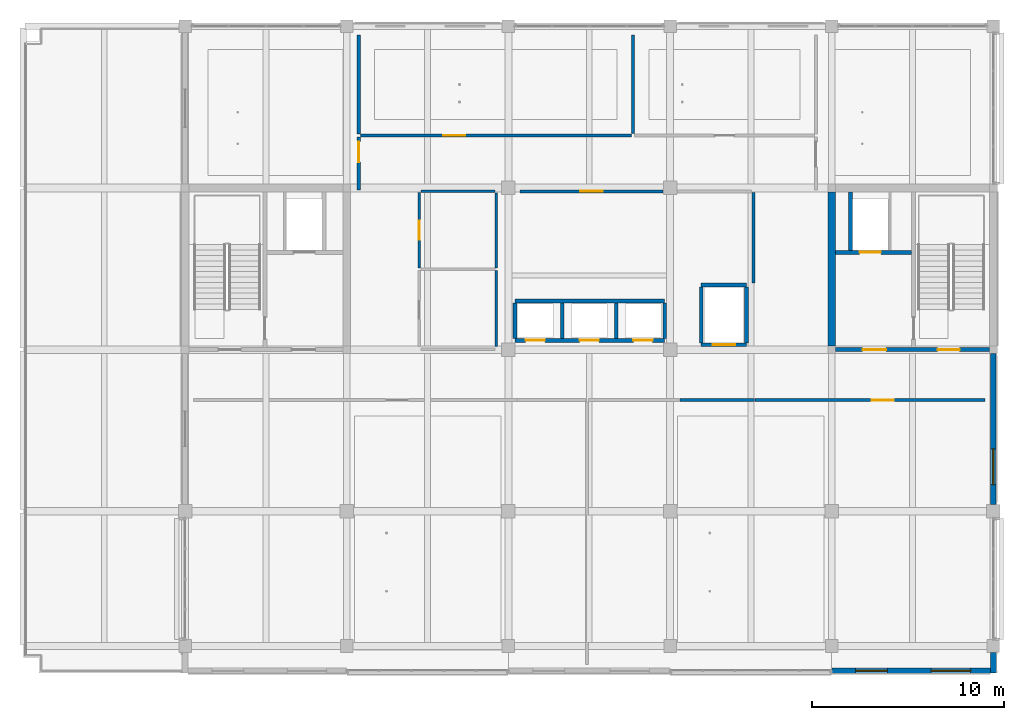
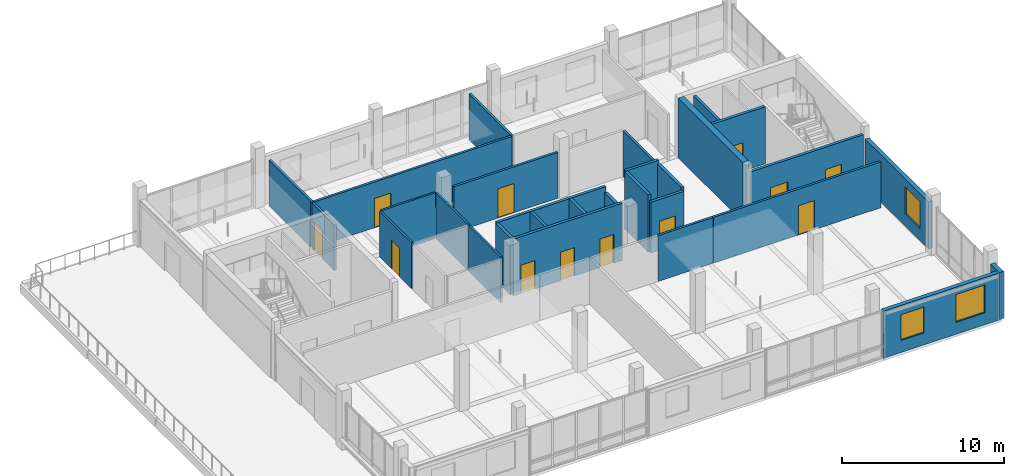
# One storey, part 10 of 28: 29 walls, 12 doors, 3 windows, 15 openings.
"""IFC4 building model written with IfcOpenShell, lengths in metres."""

from ifc_helpers import new_model, si_unit, direction, frame, frame_2d, origin, place, context, subcontext, project, spatial, rectangle, extrude, material, layer, layer_set, type_object, element, fill, save


model = new_model("IFC4")

# Units and contexts
model_context = context("Model", 3, precision=1e-05, world=origin(), true_north=direction((0.0, 1.0)))
body_context = subcontext(model_context, "Body", "Model", "MODEL_VIEW")
ifc_project = project(units=[si_unit("LENGTHUNIT", "METRE"), si_unit("AREAUNIT", "SQUARE_METRE"), si_unit("VOLUMEUNIT", "CUBIC_METRE"), si_unit("PLANEANGLEUNIT", "RADIAN"), si_unit("MASSUNIT", "GRAM", prefix="KILO")], contexts=[model_context])

# Site, building, storey
site_placement = place(None, origin())
site = spatial("IfcSite", under=ifc_project, at=site_placement, CompositionType="ELEMENT")
building_placement = place(site_placement, origin())
building = spatial("IfcBuilding", under=site, at=building_placement, Name="Telukmera Botanical Conservatory", CompositionType="ELEMENT")
storey_placement = place(building_placement, frame((0.0, 0.0, 51.0)))
storey = spatial("IfcBuildingStorey", under=building, at=storey_placement, Name="L11", CompositionType="ELEMENT", Elevation=51.0)

# Wall, openings, windows
ifc_material_1 = material(Name="Precast concrete C40/50", Category="concrete")
ifc_layer_1 = layer(ifc_material_1, 0.280029296875)
ifc_layer_set_1 = layer_set([ifc_layer_1], Name="Precast concrete C40/50")
wall_type_1 = type_object("IfcWallType", Name="Exterior Laboratory Modular Precast Wall 280", PredefinedType="ELEMENTEDWALL", material=ifc_layer_set_1)
wall_1_placement = place(storey_placement, frame((92.402099609375, 9.320068359375, 0.0), z_axis=(0.0, 0.0, 1.0), x_axis=(1.0, 0.0, 0.0)))
wall_1 = element("IfcWall", 1, at=wall_1_placement, inside=storey, type_object=wall_type_1, Name="Exterior Precast Wall EW06 V4:L11:S5", PredefinedType="ELEMENTEDWALL", context=body_context, shape_type="SweptSolid", body=[
    extrude(rectangle(XDim=8.245849609375, YDim=0.280029296875, at=frame_2d((4.123046875, 0.0))), origin(), (0.0, 0.0, 1.0), 3.550048828125),
])
opening_1_placement = place(wall_1_placement, frame((1.236572265625, 0.0, 0.89990234375)))
opening_1 = element("IfcOpeningElement", 2, at=opening_1_placement, cuts=wall_1, Name="Opening W10", PredefinedType="OPENING", context=body_context, shape_type="SweptSolid", body=[
    extrude(rectangle(XDim=1.64990234375, YDim=1.949951171875, at=frame_2d((0.824951171875, 0.97509765625))), frame((0.0, 0.14990234375, 0.0), z_axis=(0.0, -1.0, 0.0), x_axis=(1.0, 0.0, 0.0)), (0.0, 0.0, 1.0), 0.300048828125),
])
opening_2_placement = place(wall_1_placement, frame((5.159423828125, 0.0, 0.89990234375)))
opening_2 = element("IfcOpeningElement", 3, at=opening_2_placement, cuts=wall_1, Name="Opening W14", PredefinedType="OPENING", context=body_context, shape_type="SweptSolid", body=[
    extrude(rectangle(XDim=2.050048828125, YDim=2.10009765625, at=frame_2d((1.02490234375, 1.050048828125))), frame((0.0, 0.14990234375, 0.0), z_axis=(0.0, -1.0, 0.0), x_axis=(1.0, 0.0, 0.0)), (0.0, 0.0, 1.0), 0.300048828125),
])
ifc_material_2 = material(Name="Thermally broken anodised aluminium frame with low-E double glazing", Category="aluminium")
window_type_1 = type_object("IfcWindowType", Name="Double Horizontal Phytochemistry Lab Window 1650x1950", PartitioningType="DOUBLE_PANEL_HORIZONTAL", PredefinedType="WINDOW", material=ifc_material_2)
window_1_placement = place(opening_1_placement, origin())
window_1 = element("IfcWindow", 4, at=window_1_placement, inside=storey, type_object=window_type_1, Name="Facade Window W10 V4:L11:S5 1", OverallHeight=1.949951171875, OverallWidth=1.64990234375, PartitioningType="DOUBLE_PANEL_HORIZONTAL", PredefinedType="WINDOW", context=body_context, shape_type="SweptSolid", body=[
    extrude(rectangle(XDim=1.64990234375, YDim=1.949951171875, at=frame_2d((0.824951171875, 0.97509765625))), frame((0.0, 0.030029296875, 0.0), z_axis=(0.0, -1.0, 0.0), x_axis=(1.0, 0.0, 0.0)), (0.0, 0.0, 1.0), 0.06005859375),
])
fill(opening_1, window_1)
window_type_2 = type_object("IfcWindowType", Name="Triple Vertical Microscopy Lab Window 2050x2100", PartitioningType="TRIPLE_PANEL_VERTICAL", PredefinedType="WINDOW", material=ifc_material_2)
window_2_placement = place(opening_2_placement, origin())
window_2 = element("IfcWindow", 5, at=window_2_placement, inside=storey, type_object=window_type_2, Name="Facade Window W14 V4:L11:S5 2", OverallHeight=2.10009765625, OverallWidth=2.050048828125, PartitioningType="TRIPLE_PANEL_VERTICAL", PredefinedType="WINDOW", context=body_context, shape_type="SweptSolid", body=[
    extrude(rectangle(XDim=2.050048828125, YDim=2.10009765625, at=frame_2d((1.02490234375, 1.050048828125))), frame((0.0, 0.030029296875, 0.0), z_axis=(0.0, -1.0, 0.0), x_axis=(1.0, 0.0, 0.0)), (0.0, 0.0, 1.0), 0.06005859375),
])
fill(opening_2, window_2)

# Wall, opening, window
wall_2_placement = place(storey_placement, frame((100.800048828125, 17.951904296875, 0.0), z_axis=(0.0, 0.0, 1.0), x_axis=(0.0, 1.0, 0.0)))
wall_2 = element("IfcWall", 6, at=wall_2_placement, inside=storey, type_object=wall_type_1, Name="Exterior Precast Wall EW06 V4:L11:E2", PredefinedType="ELEMENTEDWALL", context=body_context, shape_type="SweptSolid", body=[
    extrude(rectangle(XDim=7.84619140625, YDim=0.280029296875, at=frame_2d((3.923095703125, 0.0))), origin(), (0.0, 0.0, 1.0), 3.550048828125),
])
opening_3_placement = place(wall_2_placement, frame((1.03662109375, 0.0, 0.89990234375)))
opening_3 = element("IfcOpeningElement", 7, at=opening_3_placement, cuts=wall_2, Name="Opening W12", PredefinedType="OPENING", context=body_context, shape_type="SweptSolid", body=[
    extrude(rectangle(XDim=1.85009765625, YDim=2.050048828125, at=frame_2d((0.925048828125, 1.02490234375))), frame((0.0, 0.14990234375, 0.0), z_axis=(0.0, -1.0, 0.0), x_axis=(1.0, 0.0, 0.0)), (0.0, 0.0, 1.0), 0.300048828125),
])
window_type_3 = type_object("IfcWindowType", Name="Double Horizontal Seminar Suite Window 1850x2050", PartitioningType="DOUBLE_PANEL_HORIZONTAL", PredefinedType="WINDOW", material=ifc_material_2)
window_3_placement = place(opening_3_placement, origin())
window_3 = element("IfcWindow", 8, at=window_3_placement, inside=storey, type_object=window_type_3, Name="Facade Window W12 V4:L11:E2 1", OverallHeight=2.050048828125, OverallWidth=1.85009765625, PartitioningType="DOUBLE_PANEL_HORIZONTAL", PredefinedType="WINDOW", context=body_context, shape_type="SweptSolid", body=[
    extrude(rectangle(XDim=1.85009765625, YDim=2.050048828125, at=frame_2d((0.925048828125, 1.02490234375))), frame((0.0, 0.030029296875, 0.0), z_axis=(0.0, -1.0, 0.0), x_axis=(1.0, 0.0, 0.0)), (0.0, 0.0, 1.0), 0.06005859375),
])
fill(opening_3, window_3)

# Wall
ifc_material_3 = material(Name="Terracotta-faced precast concrete C40/50", Category="masonry")
ifc_layer_2 = layer(ifc_material_3, 0.300048828125)
ifc_layer_set_2 = layer_set([ifc_layer_2], Name="Terracotta-faced precast concrete C40/50")
wall_type_2 = type_object("IfcWallType", Name="Exterior Polychrome Terracotta Precast Wall 300", PredefinedType="SOLIDWALL", material=ifc_layer_set_2)
wall_3_placement = place(storey_placement, frame((100.800048828125, 9.199951171875, 0.0), z_axis=(0.0, 0.0, 1.0), x_axis=(0.0, 1.0, 0.0)))
element("IfcWall", 9, at=wall_3_placement, inside=storey, type_object=wall_type_2, Name="Exterior Precast Wall EW02 V4:L11:SEC", PredefinedType="SOLIDWALL", context=body_context, shape_type="SweptSolid", body=[
    extrude(rectangle(XDim=1.072998046875, YDim=0.300048828125, at=frame_2d((0.53662109375, 0.0))), origin(), (0.0, 0.0, 1.0), 3.550048828125),
])

# Wall, openings, doors
ifc_material_4 = material(Name="Concrete C40/50", Category="concrete")
ifc_layer_3 = layer(ifc_material_4, 0.199951171875)
ifc_layer_set_3 = layer_set([ifc_layer_3], Name="Concrete C40/50")
wall_type_3 = type_object("IfcWallType", Name="WT-CORE-200", PredefinedType="SOLIDWALL", material=ifc_layer_set_3)
wall_4_placement = place(storey_placement, frame((92.60009765625, 26.0, 0.0), z_axis=(0.0, 0.0, 1.0), x_axis=(1.0, 0.0, 0.0)))
wall_4 = element("IfcWall", 10, at=wall_4_placement, inside=storey, type_object=wall_type_3, Name="L11 Core C2 South Fire Wall", PredefinedType="SOLIDWALL", context=body_context, shape_type="SweptSolid", body=[
    extrude(rectangle(XDim=8.0, YDim=0.199951171875, at=frame_2d((4.0, 0.0))), origin(), (0.0, 0.0, 1.0), 3.830078125),
])
opening_4_placement = place(wall_4_placement, frame((1.39990234375, 0.0, 0.0)))
opening_4 = element("IfcOpeningElement", 11, at=opening_4_placement, cuts=wall_4, Name="Opening FD60C", PredefinedType="OPENING", context=body_context, shape_type="SweptSolid", body=[
    extrude(rectangle(XDim=1.219970703125, YDim=2.14990234375, at=frame_2d((0.60986328125, 1.074951171875))), frame((0.0, 0.10986328125, 0.0), z_axis=(0.0, -1.0, 0.0), x_axis=(1.0, 0.0, 0.0)), (0.0, 0.0, 1.0), 0.219970703125),
])
opening_5_placement = place(wall_4_placement, frame((5.300048828125, 0.0, 0.0)))
opening_5 = element("IfcOpeningElement", 12, at=opening_5_placement, cuts=wall_4, Name="Opening FD60A", PredefinedType="OPENING", context=body_context, shape_type="SweptSolid", body=[
    extrude(rectangle(XDim=1.14990234375, YDim=2.14990234375, at=frame_2d((0.574951171875, 1.074951171875))), frame((0.0, 0.10986328125, 0.0), z_axis=(0.0, -1.0, 0.0), x_axis=(1.0, 0.0, 0.0)), (0.0, 0.0, 1.0), 0.219970703125),
])
ifc_material_5 = material(Name="Hardwood fire door", Category="wood")
door_type_1 = type_object("IfcDoorType", Name="DT-FD60-01", OperationType="NOTDEFINED", PredefinedType="DOOR", material=ifc_material_5)
door_1_placement = place(opening_5_placement, origin())
door_1 = element("IfcDoor", 13, at=door_1_placement, inside=storey, type_object=door_type_1, Name="L11 Stair ST2 Escape Door", OperationType="SINGLE_SWING_RIGHT", OverallHeight=2.14990234375, OverallWidth=1.14990234375, PredefinedType="DOOR", context=body_context, shape_type="SweptSolid", body=[
    extrude(rectangle(XDim=1.14990234375, YDim=2.14990234375, at=frame_2d((0.574951171875, 1.074951171875))), frame((0.0, 0.02490234375, 0.0), z_axis=(0.0, -1.0, 0.0), x_axis=(1.0, 0.0, 0.0)), (0.0, 0.0, 1.0), 0.050048828125),
])
fill(opening_5, door_1)
door_type_2 = type_object("IfcDoorType", Name="DT-FD60-03", OperationType="NOTDEFINED", PredefinedType="DOOR", material=ifc_material_5)
door_2_placement = place(opening_4_placement, origin())
door_2 = element("IfcDoor", 14, at=door_2_placement, inside=storey, type_object=door_type_2, Name="L11 Firefighting Lobby C2 Door", OperationType="SINGLE_SWING_LEFT", OverallHeight=2.14990234375, OverallWidth=1.219970703125, PredefinedType="DOOR", context=body_context, shape_type="SweptSolid", body=[
    extrude(rectangle(XDim=1.219970703125, YDim=2.14990234375, at=frame_2d((0.60986328125, 1.074951171875))), frame((0.0, 0.02490234375, 0.0), z_axis=(0.0, -1.0, 0.0), x_axis=(1.0, 0.0, 0.0)), (0.0, 0.0, 1.0), 0.050048828125),
])
fill(opening_4, door_2)

# Wall, opening, door
wall_5_placement = place(storey_placement, frame((92.60009765625, 31.050048828125, 0.0), z_axis=(0.0, 0.0, 1.0), x_axis=(1.0, 0.0, 0.0)))
wall_5 = element("IfcWall", 15, at=wall_5_placement, inside=storey, type_object=wall_type_3, Name="L11 Fire Lift FL2 Shaft Front Wall", PredefinedType="SOLIDWALL", context=body_context, shape_type="SweptSolid", body=[
    extrude(rectangle(XDim=3.949951171875, YDim=0.199951171875, at=frame_2d((1.97509765625, 0.0))), origin(), (0.0, 0.0, 1.0), 4.300048828125),
])
opening_6_placement = place(wall_5_placement, frame((1.25, 0.0, 0.0)))
opening_6 = element("IfcOpeningElement", 16, at=opening_6_placement, cuts=wall_5, Name="Opening LD01", PredefinedType="OPENING", context=body_context, shape_type="SweptSolid", body=[
    extrude(rectangle(XDim=1.10009765625, YDim=2.14990234375, at=frame_2d((0.550048828125, 1.074951171875))), frame((0.0, 0.10986328125, 0.0), z_axis=(0.0, -1.0, 0.0), x_axis=(1.0, 0.0, 0.0)), (0.0, 0.0, 1.0), 0.219970703125),
])
ifc_material_6 = material(Name="Stainless steel 316", Category="steel")
door_type_3 = type_object("IfcDoorType", Name="DT-LD01", OperationType="SLIDING_TO_LEFT", PredefinedType="DOOR", material=ifc_material_6)
door_3_placement = place(opening_6_placement, frame((1.10009765625, 0.0, 0.0), z_axis=(0.0, 0.0, 1.0), x_axis=(-1.0, 0.0, 0.0)))
door_3 = element("IfcDoor", 17, at=door_3_placement, inside=storey, type_object=door_type_3, Name="L11 Lift Landing Door FL2", OperationType="SLIDING_TO_LEFT", OverallHeight=2.14990234375, OverallWidth=1.10009765625, PredefinedType="DOOR", context=body_context, shape_type="SweptSolid", body=[
    extrude(rectangle(XDim=1.10009765625, YDim=2.14990234375, at=frame_2d((0.550048828125, 1.074951171875))), frame((0.0, 0.02490234375, 0.0), z_axis=(0.0, -1.0, 0.0), x_axis=(1.0, 0.0, 0.0)), (0.0, 0.0, 1.0), 0.050048828125),
])
fill(opening_6, door_3)

# Wall
wall_6_placement = place(storey_placement, frame((93.3798828125, 31.14990234375, 0.0), z_axis=(0.0, 0.0, 1.0), x_axis=(0.0, 1.0, 0.0)))
element("IfcWall", 18, at=wall_6_placement, inside=storey, type_object=wall_type_3, Name="L11 Fire Lift FL2 Shaft West Wall", PredefinedType="SOLIDWALL", context=body_context, shape_type="SweptSolid", body=[
    extrude(rectangle(XDim=3.050048828125, YDim=0.199951171875, at=frame_2d((1.52490234375, 0.0))), origin(), (0.0, 0.0, 1.0), 4.300048828125),
])

# Wall, openings, doors
wall_7_placement = place(storey_placement, frame((75.949951171875, 26.47998046875, 0.0), z_axis=(0.0, 0.0, 1.0), x_axis=(1.0, 0.0, 0.0)))
wall_7 = element("IfcWall", 19, at=wall_7_placement, inside=storey, type_object=wall_type_3, Name="L11 Passenger Lift Bank Front Wall", PredefinedType="SOLIDWALL", context=body_context, shape_type="SweptSolid", body=[
    extrude(rectangle(XDim=7.77001953125, YDim=0.199951171875, at=frame_2d((3.885009765625, 0.0))), origin(), (0.0, 0.0, 1.0), 4.300048828125),
])
opening_7_placement = place(wall_7_placement, frame((0.550048828125, 0.0, 0.0)))
opening_7 = element("IfcOpeningElement", 20, at=opening_7_placement, cuts=wall_7, Name="Opening LD03", PredefinedType="OPENING", context=body_context, shape_type="SweptSolid", body=[
    extrude(rectangle(XDim=1.0, YDim=2.14990234375, at=frame_2d((0.5, 1.074951171875))), frame((0.0, 0.10986328125, 0.0), z_axis=(0.0, -1.0, 0.0), x_axis=(1.0, 0.0, 0.0)), (0.0, 0.0, 1.0), 0.219970703125),
])
opening_8_placement = place(wall_7_placement, frame((3.35009765625, 0.0, 0.0)))
opening_8 = element("IfcOpeningElement", 21, at=opening_8_placement, cuts=wall_7, Name="Opening LD03", PredefinedType="OPENING", context=body_context, shape_type="SweptSolid", body=[
    extrude(rectangle(XDim=1.0, YDim=2.14990234375, at=frame_2d((0.5, 1.074951171875))), frame((0.0, 0.10986328125, 0.0), z_axis=(0.0, -1.0, 0.0), x_axis=(1.0, 0.0, 0.0)), (0.0, 0.0, 1.0), 0.219970703125),
])
opening_9_placement = place(wall_7_placement, frame((6.14990234375, 0.0, 0.0)))
opening_9 = element("IfcOpeningElement", 22, at=opening_9_placement, cuts=wall_7, Name="Opening LD03", PredefinedType="OPENING", context=body_context, shape_type="SweptSolid", body=[
    extrude(rectangle(XDim=1.0, YDim=2.14990234375, at=frame_2d((0.5, 1.074951171875))), frame((0.0, 0.10986328125, 0.0), z_axis=(0.0, -1.0, 0.0), x_axis=(1.0, 0.0, 0.0)), (0.0, 0.0, 1.0), 0.219970703125),
])
door_type_4 = type_object("IfcDoorType", Name="DT-LD03", OperationType="SLIDING_TO_LEFT", PredefinedType="DOOR", material=ifc_material_6)
door_4_placement = place(opening_7_placement, frame((1.0, 0.0, 0.0), z_axis=(0.0, 0.0, 1.0), x_axis=(-1.0, 0.0, 0.0)))
door_4 = element("IfcDoor", 23, at=door_4_placement, inside=storey, type_object=door_type_4, Name="L11 Lift Landing Door PL1", OperationType="SLIDING_TO_LEFT", OverallHeight=2.14990234375, OverallWidth=1.0, PredefinedType="DOOR", context=body_context, shape_type="SweptSolid", body=[
    extrude(rectangle(XDim=1.0, YDim=2.14990234375, at=frame_2d((0.5, 1.074951171875))), frame((0.0, 0.02490234375, 0.0), z_axis=(0.0, -1.0, 0.0), x_axis=(1.0, 0.0, 0.0)), (0.0, 0.0, 1.0), 0.050048828125),
])
fill(opening_7, door_4)
door_5_placement = place(opening_8_placement, frame((1.0, 0.0, 0.0), z_axis=(0.0, 0.0, 1.0), x_axis=(-1.0, 0.0, 0.0)))
door_5 = element("IfcDoor", 24, at=door_5_placement, inside=storey, type_object=door_type_4, Name="L11 Lift Landing Door PL2", OperationType="SLIDING_TO_LEFT", OverallHeight=2.14990234375, OverallWidth=1.0, PredefinedType="DOOR", context=body_context, shape_type="SweptSolid", body=[
    extrude(rectangle(XDim=1.0, YDim=2.14990234375, at=frame_2d((0.5, 1.074951171875))), frame((0.0, 0.02490234375, 0.0), z_axis=(0.0, -1.0, 0.0), x_axis=(1.0, 0.0, 0.0)), (0.0, 0.0, 1.0), 0.050048828125),
])
fill(opening_8, door_5)
door_6_placement = place(opening_9_placement, frame((1.0, 0.0, 0.0), z_axis=(0.0, 0.0, 1.0), x_axis=(-1.0, 0.0, 0.0)))
door_6 = element("IfcDoor", 25, at=door_6_placement, inside=storey, type_object=door_type_4, Name="L11 Lift Landing Door PL3", OperationType="SLIDING_TO_LEFT", OverallHeight=2.14990234375, OverallWidth=1.0, PredefinedType="DOOR", context=body_context, shape_type="SweptSolid", body=[
    extrude(rectangle(XDim=1.0, YDim=2.14990234375, at=frame_2d((0.5, 1.074951171875))), frame((0.0, 0.02490234375, 0.0), z_axis=(0.0, -1.0, 0.0), x_axis=(1.0, 0.0, 0.0)), (0.0, 0.0, 1.0), 0.050048828125),
])
fill(opening_9, door_6)

# Walls
wall_8_placement = place(storey_placement, frame((75.949951171875, 28.52001953125, 0.0), z_axis=(0.0, 0.0, 1.0), x_axis=(1.0, 0.0, 0.0)))
element("IfcWall", 26, at=wall_8_placement, inside=storey, type_object=wall_type_3, Name="L11 Passenger Lift Bank Rear Wall", PredefinedType="SOLIDWALL", context=body_context, shape_type="SweptSolid", body=[
    extrude(rectangle(XDim=7.77001953125, YDim=0.199951171875, at=frame_2d((3.885009765625, 0.0))), origin(), (0.0, 0.0, 1.0), 4.300048828125),
])
for number, where, z_axis, x_axis, name in (
    (27, (75.949951171875, 26.580078125, 0.0), (0.0, 0.0, 1.0), (0.0, 1.0, 0.0), "L11 Passenger Lift Shaft Wall 1"),
    (28, (78.39990234375, 26.580078125, 0.0), (0.0, 0.0, 1.0), (0.0, 1.0, 0.0), "L11 Passenger Lift Shaft Wall 2"),
    (29, (81.199951171875, 26.580078125, 0.0), (0.0, 0.0, 1.0), (0.0, 1.0, 0.0), "L11 Passenger Lift Shaft Wall 3"),
):
    element("IfcWall", number, at=place(storey_placement, frame(where, z_axis=z_axis, x_axis=x_axis)), inside=storey, type_object=wall_type_3, Name=name, PredefinedType="SOLIDWALL", context=body_context, shape_type="SweptSolid", body=[
        extrude(rectangle(XDim=1.83984375, YDim=0.199951171875, at=frame_2d((0.919921875, 0.0))), origin(), (0.0, 0.0, 1.0), 4.300048828125),
    ])
wall_9_placement = place(storey_placement, frame((83.719970703125, 26.580078125, 0.0), z_axis=(0.0, 0.0, 1.0), x_axis=(0.0, 1.0, 0.0)))
element("IfcWall", 30, at=wall_9_placement, inside=storey, type_object=wall_type_3, Name="L11 Passenger Lift Shaft Wall 4", PredefinedType="SOLIDWALL", context=body_context, shape_type="SweptSolid", body=[
    extrude(rectangle(XDim=1.83984375, YDim=0.199951171875, at=frame_2d((0.919921875, 0.0))), origin(), (0.0, 0.0, 1.0), 3.8798828125),
])

# Wall, opening, door
wall_10_placement = place(storey_placement, frame((85.6201171875, 26.25, 0.0), z_axis=(0.0, 0.0, 1.0), x_axis=(1.0, 0.0, 0.0)))
wall_10 = element("IfcWall", 31, at=wall_10_placement, inside=storey, type_object=wall_type_3, Name="L11 Goods Lift GL1 Front Wall", PredefinedType="SOLIDWALL", context=body_context, shape_type="SweptSolid", body=[
    extrude(rectangle(XDim=2.35986328125, YDim=0.199951171875, at=frame_2d((1.179931640625, 0.0))), origin(), (0.0, 0.0, 1.0), 3.830078125),
])
opening_10_placement = place(wall_10_placement, frame((0.60498046875, 0.0, 0.0)))
opening_10 = element("IfcOpeningElement", 32, at=opening_10_placement, cuts=wall_10, Name="Opening LD02", PredefinedType="OPENING", context=body_context, shape_type="SweptSolid", body=[
    extrude(rectangle(XDim=1.14990234375, YDim=2.199951171875, at=frame_2d((0.574951171875, 1.10009765625))), frame((0.0, 0.10986328125, 0.0), z_axis=(0.0, -1.0, 0.0), x_axis=(1.0, 0.0, 0.0)), (0.0, 0.0, 1.0), 0.219970703125),
])
door_type_5 = type_object("IfcDoorType", Name="DT-LD02", OperationType="SLIDING_TO_LEFT", PredefinedType="DOOR", material=ifc_material_6)
door_7_placement = place(opening_10_placement, frame((1.14990234375, 0.0, 0.0), z_axis=(0.0, 0.0, 1.0), x_axis=(-1.0, 0.0, 0.0)))
door_7 = element("IfcDoor", 33, at=door_7_placement, inside=storey, type_object=door_type_5, Name="L11 Lift Landing Door GL1", OperationType="SLIDING_TO_LEFT", OverallHeight=2.199951171875, OverallWidth=1.14990234375, PredefinedType="DOOR", context=body_context, shape_type="SweptSolid", body=[
    extrude(rectangle(XDim=1.14990234375, YDim=2.199951171875, at=frame_2d((0.574951171875, 1.10009765625))), frame((0.0, 0.02490234375, 0.0), z_axis=(0.0, -1.0, 0.0), x_axis=(1.0, 0.0, 0.0)), (0.0, 0.0, 1.0), 0.050048828125),
])
fill(opening_10, door_7)

# Walls
wall_11_placement = place(storey_placement, frame((85.6201171875, 29.35009765625, 0.0), z_axis=(0.0, 0.0, 1.0), x_axis=(1.0, 0.0, 0.0)))
element("IfcWall", 34, at=wall_11_placement, inside=storey, type_object=wall_type_3, Name="L11 Goods Lift GL1 Rear Wall", PredefinedType="SOLIDWALL", context=body_context, shape_type="SweptSolid", body=[
    extrude(rectangle(XDim=2.35986328125, YDim=0.199951171875, at=frame_2d((1.179931640625, 0.0))), origin(), (0.0, 0.0, 1.0), 4.300048828125),
])
wall_12_placement = place(storey_placement, frame((85.6201171875, 26.35009765625, 0.0), z_axis=(0.0, 0.0, 1.0), x_axis=(0.0, 1.0, 0.0)))
element("IfcWall", 35, at=wall_12_placement, inside=storey, type_object=wall_type_3, Name="L11 Goods Lift GL1 Side Wall 1", PredefinedType="SOLIDWALL", context=body_context, shape_type="SweptSolid", body=[
    extrude(rectangle(XDim=2.89990234375, YDim=0.199951171875, at=frame_2d((1.449951171875, 0.0))), origin(), (0.0, 0.0, 1.0), 4.300048828125),
])
wall_13_placement = place(storey_placement, frame((87.97998046875, 26.35009765625, 0.0), z_axis=(0.0, 0.0, 1.0), x_axis=(0.0, 1.0, 0.0)))
element("IfcWall", 36, at=wall_13_placement, inside=storey, type_object=wall_type_3, Name="L11 Goods Lift GL1 Side Wall 2", PredefinedType="SOLIDWALL", context=body_context, shape_type="SweptSolid", body=[
    extrude(rectangle(XDim=2.89990234375, YDim=0.199951171875, at=frame_2d((1.449951171875, 0.0))), origin(), (0.0, 0.0, 1.0), 4.030029296875),
])
ifc_material_7 = material(Name="Gypsum acoustic stud partition")
ifc_layer_4 = layer(ifc_material_7, 0.159912109375)
ifc_layer_set_4 = layer_set([ifc_layer_4], Name="Gypsum acoustic stud partition")
wall_type_4 = type_object("IfcWallType", Name="WT-LAB-160", PredefinedType="PARTITIONING", material=ifc_layer_set_4)
wall_14_placement = place(storey_placement, frame((88.324951171875, 29.449951171875, 0.0), z_axis=(0.0, 0.0, 1.0), x_axis=(0.0, 1.0, 0.0)))
element("IfcWall", 37, at=wall_14_placement, inside=storey, type_object=wall_type_4, Name="L11 Interior Partition 06", PredefinedType="PARTITIONING", context=body_context, shape_type="SweptSolid", body=[
    extrude(rectangle(XDim=4.699951171875, YDim=0.159912109375, at=frame_2d((2.35009765625, 0.0))), origin(), (0.0, 0.0, 1.0), 3.449951171875),
])

# Wall, opening, door
wall_15_placement = place(storey_placement, frame((76.199951171875, 34.22509765625, 0.0), z_axis=(0.0, 0.0, 1.0), x_axis=(1.0, 0.0, 0.0)))
wall_15 = element("IfcWall", 38, at=wall_15_placement, inside=storey, type_object=wall_type_4, Name="L11 Interior Partition 07", PredefinedType="PARTITIONING", context=body_context, shape_type="SweptSolid", body=[
    extrude(rectangle(XDim=7.420166015625, YDim=0.159912109375, at=frame_2d((3.7099609375, 0.0))), origin(), (0.0, 0.0, 1.0), 3.449951171875),
])
opening_11_placement = place(wall_15_placement, frame((3.1298828125, 0.0, 0.0)))
opening_11 = element("IfcOpeningElement", 39, at=opening_11_placement, cuts=wall_15, Name="Opening ID09", PredefinedType="OPENING", context=body_context, shape_type="SweptSolid", body=[
    extrude(rectangle(XDim=1.159912109375, YDim=2.199951171875, at=frame_2d((0.580078125, 1.10009765625))), frame((0.0, 0.08984375, 0.0), z_axis=(0.0, -1.0, 0.0), x_axis=(1.0, 0.0, 0.0)), (0.0, 0.0, 1.0), 0.179931640625),
])
ifc_material_8 = material(Name="Phenolic faced laboratory fire door")
door_type_6 = type_object("IfcDoorType", Name="DT-LAB-116", OperationType="NOTDEFINED", PredefinedType="DOOR", material=ifc_material_8)
door_8_placement = place(opening_11_placement, frame((1.159912109375, 0.0, 0.0), z_axis=(0.0, 0.0, 1.0), x_axis=(-1.0, 0.0, 0.0)))
door_8 = element("IfcDoor", 40, at=door_8_placement, inside=storey, type_object=door_type_6, Name="L11 Solvent Extraction Instrument Room Door", OperationType="SINGLE_SWING_LEFT", OverallHeight=2.199951171875, OverallWidth=1.159912109375, PredefinedType="DOOR", context=body_context, shape_type="SweptSolid", body=[
    extrude(rectangle(XDim=1.159912109375, YDim=2.199951171875, at=frame_2d((0.580078125, 1.10009765625))), frame((0.0, 0.02490234375, 0.0), z_axis=(0.0, -1.0, 0.0), x_axis=(1.0, 0.0, 0.0)), (0.0, 0.0, 1.0), 0.050048828125),
])
fill(opening_11, door_8)

# Wall
wall_16_placement = place(storey_placement, frame((84.510009765625, 23.375, 0.0), z_axis=(0.0, 0.0, 1.0), x_axis=(1.0, 0.0, 0.0)))
element("IfcWall", 41, at=wall_16_placement, inside=storey, type_object=wall_type_4, Name="L11 Interior Partition 11", PredefinedType="PARTITIONING", context=body_context, shape_type="SweptSolid", body=[
    extrude(rectangle(XDim=3.889892578125, YDim=0.159912109375, at=frame_2d((1.94482421875, 0.0))), origin(), (0.0, 0.0, 1.0), 3.449951171875),
])

# Wall, opening, door
wall_17_placement = place(storey_placement, frame((88.409912109375, 23.375, 0.0), z_axis=(0.0, 0.0, 1.0), x_axis=(1.0, 0.0, 0.0)))
wall_17 = element("IfcWall", 42, at=wall_17_placement, inside=storey, type_object=wall_type_4, Name="L11 Interior Partition 13", PredefinedType="PARTITIONING", context=body_context, shape_type="SweptSolid", body=[
    extrude(rectangle(XDim=11.940185546875, YDim=0.159912109375, at=frame_2d((5.97021484375, 0.0))), origin(), (0.0, 0.0, 1.0), 3.449951171875),
])
opening_12_placement = place(wall_17_placement, frame((6.060302734375, 0.0, 0.0)))
opening_12 = element("IfcOpeningElement", 43, at=opening_12_placement, cuts=wall_17, Name="Opening ID09", PredefinedType="OPENING", context=body_context, shape_type="SweptSolid", body=[
    extrude(rectangle(XDim=1.159912109375, YDim=2.199951171875, at=frame_2d((0.580078125, 1.10009765625))), frame((0.0, 0.08984375, 0.0), z_axis=(0.0, -1.0, 0.0), x_axis=(1.0, 0.0, 0.0)), (0.0, 0.0, 1.0), 0.179931640625),
])
door_9_placement = place(opening_12_placement, frame((1.159912109375, 0.0, 0.0), z_axis=(0.0, 0.0, 1.0), x_axis=(-1.0, 0.0, 0.0)))
door_9 = element("IfcDoor", 44, at=door_9_placement, inside=storey, type_object=door_type_6, Name="L11 Natural Products Chemistry Laboratory Door", OperationType="SINGLE_SWING_LEFT", OverallHeight=2.199951171875, OverallWidth=1.159912109375, PredefinedType="DOOR", context=body_context, shape_type="SweptSolid", body=[
    extrude(rectangle(XDim=1.159912109375, YDim=2.199951171875, at=frame_2d((0.580078125, 1.10009765625))), frame((0.0, 0.02490234375, 0.0), z_axis=(0.0, -1.0, 0.0), x_axis=(1.0, 0.0, 0.0)), (0.0, 0.0, 1.0), 0.050048828125),
])
fill(opening_12, door_9)

wall_18_placement = place(storey_placement, frame((67.824951171875, 34.300048828125, 0.0), z_axis=(0.0, 0.0, 1.0), x_axis=(0.0, 1.0, 0.0)))
wall_18 = element("IfcWall", 45, at=wall_18_placement, inside=storey, type_object=wall_type_4, Name="L11 Interior Partition 15", PredefinedType="PARTITIONING", context=body_context, shape_type="SweptSolid", body=[
    extrude(rectangle(XDim=2.75, YDim=0.159912109375, at=frame_2d((1.375, 0.0))), origin(), (0.0, 0.0, 1.0), 3.449951171875),
])
opening_13_placement = place(wall_18_placement, frame((1.43994140625, 0.0, 0.0)))
opening_13 = element("IfcOpeningElement", 46, at=opening_13_placement, cuts=wall_18, Name="Opening ID12", PredefinedType="OPENING", context=body_context, shape_type="SweptSolid", body=[
    extrude(rectangle(XDim=1.06005859375, YDim=2.179931640625, at=frame_2d((0.530029296875, 1.08984375))), frame((0.0, 0.08984375, 0.0), z_axis=(0.0, -1.0, 0.0), x_axis=(1.0, 0.0, 0.0)), (0.0, 0.0, 1.0), 0.179931640625),
])
ifc_material_9 = material(Name="Light-tight microscopy door")
door_type_7 = type_object("IfcDoorType", Name="DT-MIC-106", OperationType="NOTDEFINED", PredefinedType="DOOR", material=ifc_material_9)
door_10_placement = place(opening_13_placement, origin())
door_10 = element("IfcDoor", 47, at=door_10_placement, inside=storey, type_object=door_type_7, Name="L11 Chromatography Mass Spectrometry Room Door", OperationType="SINGLE_SWING_RIGHT", OverallHeight=2.179931640625, OverallWidth=1.06005859375, PredefinedType="DOOR", context=body_context, shape_type="SweptSolid", body=[
    extrude(rectangle(XDim=1.06005859375, YDim=2.179931640625, at=frame_2d((0.530029296875, 1.08984375))), frame((0.0, 0.02490234375, 0.0), z_axis=(0.0, -1.0, 0.0), x_axis=(1.0, 0.0, 0.0)), (0.0, 0.0, 1.0), 0.050048828125),
])
fill(opening_13, door_10)

wall_19_placement = place(storey_placement, frame((67.9150390625, 37.125, 0.0), z_axis=(0.0, 0.0, 1.0), x_axis=(1.0, 0.0, 0.0)))
wall_19 = element("IfcWall", 48, at=wall_19_placement, inside=storey, type_object=wall_type_4, Name="L11 Interior Partition 16", PredefinedType="PARTITIONING", context=body_context, shape_type="SweptSolid", body=[
    extrude(rectangle(XDim=14.0849609375, YDim=0.159912109375, at=frame_2d((7.04248046875, 0.0))), origin(), (0.0, 0.0, 1.0), 3.449951171875),
])
opening_14_placement = place(wall_19_placement, frame((4.2919921875, 0.0, 0.0)))
opening_14 = element("IfcOpeningElement", 49, at=opening_14_placement, cuts=wall_19, Name="Opening ID09", PredefinedType="OPENING", context=body_context, shape_type="SweptSolid", body=[
    extrude(rectangle(XDim=1.159912109375, YDim=2.199951171875, at=frame_2d((0.580078125, 1.10009765625))), frame((0.0, 0.08984375, 0.0), z_axis=(0.0, -1.0, 0.0), x_axis=(1.0, 0.0, 0.0)), (0.0, 0.0, 1.0), 0.179931640625),
])
door_11_placement = place(opening_14_placement, origin())
door_11 = element("IfcDoor", 50, at=door_11_placement, inside=storey, type_object=door_type_6, Name="L11 Alkaloid Extraction Laboratory Door", OperationType="SINGLE_SWING_LEFT", OverallHeight=2.199951171875, OverallWidth=1.159912109375, PredefinedType="DOOR", context=body_context, shape_type="SweptSolid", body=[
    extrude(rectangle(XDim=1.159912109375, YDim=2.199951171875, at=frame_2d((0.580078125, 1.10009765625))), frame((0.0, 0.02490234375, 0.0), z_axis=(0.0, -1.0, 0.0), x_axis=(1.0, 0.0, 0.0)), (0.0, 0.0, 1.0), 0.050048828125),
])
fill(opening_14, door_11)

# Walls
wall_20_placement = place(storey_placement, frame((67.824951171875, 37.199951171875, 0.0), z_axis=(0.0, 0.0, 1.0), x_axis=(0.0, 1.0, 0.0)))
element("IfcWall", 51, at=wall_20_placement, inside=storey, type_object=wall_type_4, Name="L11 Interior Partition 19", PredefinedType="PARTITIONING", context=body_context, shape_type="SweptSolid", body=[
    extrude(rectangle(XDim=5.150146484375, YDim=0.159912109375, at=frame_2d((2.5751953125, 0.0))), origin(), (0.0, 0.0, 1.0), 3.449951171875),
])
wall_21_placement = place(storey_placement, frame((82.074951171875, 37.215087890625, 0.0), z_axis=(0.0, 0.0, 1.0), x_axis=(0.0, 1.0, 0.0)))
element("IfcWall", 52, at=wall_21_placement, inside=storey, type_object=wall_type_4, Name="L11 Interior Partition 20", PredefinedType="PARTITIONING", context=body_context, shape_type="SweptSolid", body=[
    extrude(rectangle(XDim=5.135009765625, YDim=0.159912109375, at=frame_2d((2.5673828125, 0.0))), origin(), (0.0, 0.0, 1.0), 3.449951171875),
])

# Wall, opening, door
ifc_material_10 = material(Name="Moisture-resistant blockwork", Category="masonry")
ifc_layer_5 = layer(ifc_material_10, 0.135009765625)
ifc_layer_set_5 = layer_set([ifc_layer_5], Name="Moisture-resistant blockwork")
wall_type_5 = type_object("IfcWallType", Name="WT-WC-135", PredefinedType="PARTITIONING", material=ifc_layer_set_5)
wall_22_placement = place(storey_placement, frame((70.97509765625, 30.25, 0.0), z_axis=(0.0, 0.0, 1.0), x_axis=(0.0, 1.0, 0.0)))
wall_22 = element("IfcWall", 53, at=wall_22_placement, inside=storey, type_object=wall_type_5, Name="L11 Interior Partition 02", PredefinedType="PARTITIONING", context=body_context, shape_type="SweptSolid", body=[
    extrude(rectangle(XDim=3.89990234375, YDim=0.135009765625, at=frame_2d((1.949951171875, 0.0))), origin(), (0.0, 0.0, 1.0), 3.449951171875),
])
opening_15_placement = place(wall_22_placement, frame((1.4599609375, 0.0, 0.0)))
opening_15 = element("IfcOpeningElement", 54, at=opening_15_placement, cuts=wall_22, Name="Opening ID15", PredefinedType="OPENING", context=body_context, shape_type="SweptSolid", body=[
    extrude(rectangle(XDim=0.97998046875, YDim=2.14990234375, at=frame_2d((0.489990234375, 1.074951171875))), frame((0.0, 0.077392578125, 0.0), z_axis=(0.0, -1.0, 0.0), x_axis=(1.0, 0.0, 0.0)), (0.0, 0.0, 1.0), 0.155029296875),
])
ifc_material_11 = material(Name="Accessible sanitary laminate door")
door_type_8 = type_object("IfcDoorType", Name="DT-OKU-098", OperationType="NOTDEFINED", PredefinedType="DOOR", material=ifc_material_11)
door_12_placement = place(opening_15_placement, origin())
door_12 = element("IfcDoor", 55, at=door_12_placement, inside=storey, type_object=door_type_8, Name="L11 Accessible WC Door", OperationType="SINGLE_SWING_RIGHT", OverallHeight=2.14990234375, OverallWidth=0.97998046875, PredefinedType="DOOR", context=body_context, shape_type="SweptSolid", body=[
    extrude(rectangle(XDim=0.97998046875, YDim=2.14990234375, at=frame_2d((0.489990234375, 1.074951171875))), frame((0.0, 0.02490234375, 0.0), z_axis=(0.0, -1.0, 0.0), x_axis=(1.0, 0.0, 0.0)), (0.0, 0.0, 1.0), 0.050048828125),
])
fill(opening_15, door_12)

# Walls
wall_23_placement = place(storey_placement, frame((71.050048828125, 34.22509765625, 0.0), z_axis=(0.0, 0.0, 1.0), x_axis=(1.0, 0.0, 0.0)))
element("IfcWall", 56, at=wall_23_placement, inside=storey, type_object=wall_type_5, Name="L11 Interior Partition 05", PredefinedType="PARTITIONING", context=body_context, shape_type="SweptSolid", body=[
    extrude(rectangle(XDim=3.849853515625, YDim=0.135009765625, at=frame_2d((1.9248046875, 0.0))), origin(), (0.0, 0.0, 1.0), 3.449951171875),
])
wall_24_placement = place(storey_placement, frame((74.967529296875, 26.14990234375, 0.0), z_axis=(0.0, 0.0, 1.0), x_axis=(0.0, 1.0, 0.0)))
element("IfcWall", 57, at=wall_24_placement, inside=storey, type_object=wall_type_5, Name="L11 WC Enclosure Partition 01", PredefinedType="PARTITIONING", context=body_context, shape_type="SweptSolid", body=[
    extrude(rectangle(XDim=3.947509765625, YDim=0.135009765625, at=frame_2d((1.9736328125, 0.0))), origin(), (0.0, 0.0, 1.0), 3.449951171875),
])
wall_25_placement = place(storey_placement, frame((74.967529296875, 30.25244140625, 0.0), z_axis=(0.0, 0.0, 1.0), x_axis=(0.0, 1.0, 0.0)))
element("IfcWall", 58, at=wall_25_placement, inside=storey, type_object=wall_type_5, Name="L11 WC Enclosure Partition 02", PredefinedType="PARTITIONING", context=body_context, shape_type="SweptSolid", body=[
    extrude(rectangle(XDim=3.89501953125, YDim=0.135009765625, at=frame_2d((1.947509765625, 0.0))), origin(), (0.0, 0.0, 1.0), 3.449951171875),
])
ifc_material_12 = material(Name="Concrete C50/60", Category="concrete")
ifc_layer_6 = layer(ifc_material_12, 0.39990234375)
ifc_layer_set_6 = layer_set([ifc_layer_6], Name="Concrete C50/60")
wall_type_6 = type_object("IfcWallType", Name="Wall_CW1", PredefinedType="SHEAR", material=ifc_layer_set_6)
wall_26_placement = place(storey_placement, frame((92.39990234375, 26.199951171875, 0.0), z_axis=(0.0, 0.0, 1.0), x_axis=(0.0, 1.0, 0.0)))
element("IfcWall", 59, at=wall_26_placement, inside=storey, type_object=wall_type_6, Name="Core C2 Shear Wall West L11", PredefinedType="SHEAR", context=body_context, shape_type="SweptSolid", body=[
    extrude(rectangle(XDim=8.0, YDim=0.39990234375, at=frame_2d((4.0, 0.0))), origin(), (0.0, 0.0, 1.0), 4.5),
])

save(model, "model.ifc")
